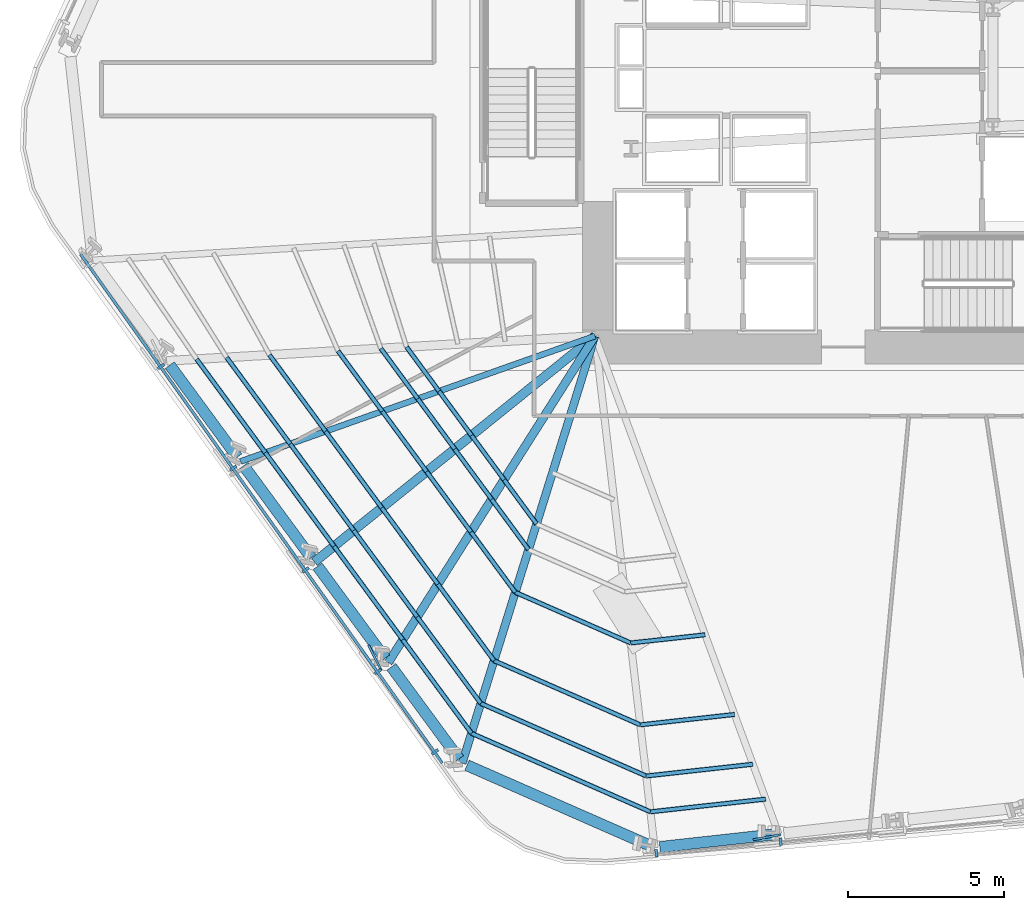
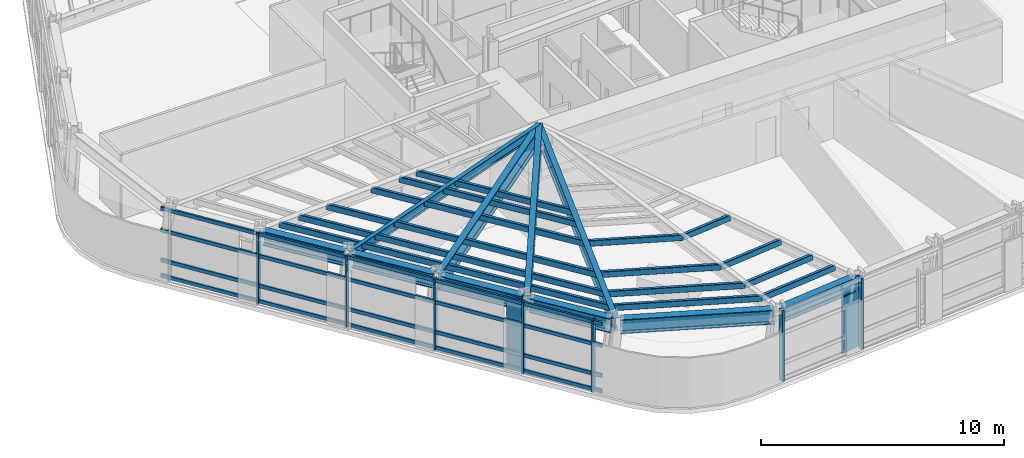
# One storey, part 2 of 16: 45 members, 10 beams, 2 elements without a shape of their own.
"""IFC4 building model written with IfcOpenShell, lengths in metres."""

from ifc_helpers import new_model, si_unit, direction, frame, origin, origin_2d, place, context, subcontext, project, spatial, rectangle, hollow_rectangle, i_section, extrude, material, layer, layer_set, material_profile, profile_set, type_object, element, aggregate, save


model = new_model("IFC4")

# Units and contexts
model_context = context("Model", 3, precision=1e-05, world=origin(), true_north=direction((0.0, 1.0)))
body_context = subcontext(model_context, "Body", "Model", "MODEL_VIEW")
ifc_project = project(units=[si_unit("LENGTHUNIT", "METRE"), si_unit("AREAUNIT", "SQUARE_METRE"), si_unit("VOLUMEUNIT", "CUBIC_METRE"), si_unit("PLANEANGLEUNIT", "RADIAN"), si_unit("MASSUNIT", "GRAM", prefix="KILO")], contexts=[model_context])

# Site, building, storey
site_placement = place(None, origin())
site = spatial("IfcSite", under=ifc_project, at=site_placement, CompositionType="ELEMENT")
building_placement = place(site_placement, origin())
building = spatial("IfcBuilding", under=site, at=building_placement, Name="Valkerne Bourse Tower", CompositionType="ELEMENT")
storey_placement = place(building_placement, frame((0.0, 0.0, 46.800048828125)))
storey = spatial("IfcBuildingStorey", under=building, at=storey_placement, Name="L11", CompositionType="ELEMENT", Elevation=46.800048828125)

# Beams
ifc_material_1 = material(Name="Steel ASTM A992", Category="steel")
ifc_material_profile_1 = material_profile(ifc_material_1, i_section(OverallWidth=0.1904296875, OverallDepth=0.457275390625, WebThickness=0.009033203125, FlangeThickness=0.014404296875, FilletRadius=0.01513671875, at=origin_2d()), Name="W18X50")
ifc_profile_set_1 = profile_set([ifc_material_profile_1], Name="Steel ASTM A992")
beam_type_1 = type_object("IfcBeamType", Name="BM-W18X50", PredefinedType="JOIST", material=ifc_profile_set_1)
beam_1_placement = place(storey_placement, frame((26.248779296875, 14.3828125, 3.351318359375), z_axis=(0.942710010647, 0.333613302832, 0.0), x_axis=(-0.333613302832, 0.942710010647, 0.0)))
element("IfcBeam", 1, at=beam_1_placement, inside=storey, type_object=beam_type_1, Name="L11 Radial Composite Floor Beam 20", PredefinedType="JOIST", context=body_context, shape_type="SweptSolid", body=[
    extrude(i_section(OverallWidth=0.1904296875, OverallDepth=0.457275390625, WebThickness=0.009033203125, FlangeThickness=0.014404296875, FilletRadius=0.01513671875, at=origin_2d()), origin(), (0.0, 0.0, 1.0), 12.041259765625),
])
ifc_material_profile_2 = material_profile(ifc_material_1, i_section(OverallWidth=0.255859375, OverallDepth=0.693359375, WebThickness=0.014404296875, FlangeThickness=0.023681640625, FilletRadius=0.02294921875, at=origin_2d()), Name="W27X114")
ifc_profile_set_2 = profile_set([ifc_material_profile_2], Name="Steel ASTM A992")
beam_type_2 = type_object("IfcBeamType", Name="BM-W27X114", PredefinedType="BEAM", material=ifc_profile_set_2)
beam_2_placement = place(storey_placement, frame((33.345947265625, 4.721435546875, 3.233154296875), z_axis=(0.296979186348, 0.95488395257, 0.0), x_axis=(-0.95488395257, 0.296979186348, 0.0)))
element("IfcBeam", 2, at=beam_2_placement, inside=storey, type_object=beam_type_2, Name="L11 Radial Composite Floor Beam 23", PredefinedType="BEAM", context=body_context, shape_type="SweptSolid", body=[
    extrude(i_section(OverallWidth=0.255859375, OverallDepth=0.693359375, WebThickness=0.014404296875, FlangeThickness=0.023681640625, FilletRadius=0.02294921875, at=origin_2d()), origin(), (0.0, 0.0, 1.0), 14.32470703125),
])
ifc_material_profile_3 = material_profile(ifc_material_1, i_section(OverallWidth=0.358154296875, OverallDepth=0.7060546875, WebThickness=0.018310546875, FlangeThickness=0.0302734375, FilletRadius=0.02294921875, at=origin_2d()), Name="W27X178")
ifc_profile_set_3 = profile_set([ifc_material_profile_3], Name="Steel ASTM A992")
beam_type_3 = type_object("IfcBeamType", Name="BM-W27X178", PredefinedType="SPANDREL", material=ifc_profile_set_3)
beam_3_placement = place(storey_placement, frame((23.98388671875, 17.46630859375, 3.226806640625), z_axis=(0.592020669649, -0.805922779619, 0.0), x_axis=(0.805922779619, 0.592020669649, 0.0)))
element("IfcBeam", 3, at=beam_3_placement, inside=storey, type_object=beam_type_3, Name="L11 Hexagonal Spandrel Ring Beam 19", PredefinedType="SPANDREL", context=body_context, shape_type="SweptSolid", body=[
    extrude(i_section(OverallWidth=0.358154296875, OverallDepth=0.7060546875, WebThickness=0.018310546875, FlangeThickness=0.0302734375, FilletRadius=0.02294921875, at=origin_2d()), origin(), (0.0, 0.0, 1.0), 3.65576171875),
])
beam_4_placement = place(storey_placement, frame((26.349609375, 14.245849609375, 3.226806640625), z_axis=(0.591988807771, -0.805946183981, 0.0), x_axis=(0.805946183981, 0.591988807771, 0.0)))
element("IfcBeam", 4, at=beam_4_placement, inside=storey, type_object=beam_type_3, Name="L11 Hexagonal Spandrel Ring Beam 20", PredefinedType="SPANDREL", context=body_context, shape_type="SweptSolid", body=[
    extrude(i_section(OverallWidth=0.358154296875, OverallDepth=0.7060546875, WebThickness=0.018310546875, FlangeThickness=0.0302734375, FilletRadius=0.02294921875, at=origin_2d()), origin(), (0.0, 0.0, 1.0), 3.656005859375),
])
for number, where, z_axis, x_axis, name in (
    (5, (28.715087890625, 11.025390625, 3.226806640625), (0.592032180934, -0.805914323448, 0.0), (0.805914323448, 0.592032180934, 0.0), "L11 Hexagonal Spandrel Ring Beam 21"),
    (6, (31.080810546875, 7.804931640625, 3.226806640625), (0.592032180934, -0.805914323448, 0.0), (0.805914323448, 0.592032180934, 0.0), "L11 Hexagonal Spandrel Ring Beam 22"),
):
    element("IfcBeam", number, at=place(storey_placement, frame(where, z_axis=z_axis, x_axis=x_axis)), inside=storey, type_object=beam_type_3, Name=name, PredefinedType="SPANDREL", context=body_context, shape_type="SweptSolid", body=[
        extrude(i_section(OverallWidth=0.358154296875, OverallDepth=0.7060546875, WebThickness=0.018310546875, FlangeThickness=0.0302734375, FilletRadius=0.02294921875, at=origin_2d()), origin(), (0.0, 0.0, 1.0), 3.65625),
    ])
beam_5_placement = place(storey_placement, frame((33.501708984375, 4.653076171875, 3.226806640625), z_axis=(0.915656722887, -0.401961149656, 0.0), x_axis=(0.401961149656, 0.915656722887, 0.0)))
element("IfcBeam", 7, at=beam_5_placement, inside=storey, type_object=beam_type_3, Name="L11 Hexagonal Spandrel Ring Beam 23", PredefinedType="SPANDREL", context=body_context, shape_type="SweptSolid", body=[
    extrude(i_section(OverallWidth=0.358154296875, OverallDepth=0.7060546875, WebThickness=0.018310546875, FlangeThickness=0.0302734375, FilletRadius=0.02294921875, at=origin_2d()), origin(), (0.0, 0.0, 1.0), 6.388916015625),
])
beam_6_placement = place(storey_placement, frame((39.676513671875, 2.035400390625, 3.226806640625), z_axis=(0.993962476945, 0.10972052873, 0.0), x_axis=(-0.10972052873, 0.993962476945, 0.0)))
element("IfcBeam", 8, at=beam_6_placement, inside=storey, type_object=beam_type_3, Name="L11 Hexagonal Spandrel Ring Beam 24", PredefinedType="SPANDREL", context=body_context, shape_type="SweptSolid", body=[
    extrude(i_section(OverallWidth=0.358154296875, OverallDepth=0.7060546875, WebThickness=0.018310546875, FlangeThickness=0.0302734375, FilletRadius=0.02294921875, at=origin_2d()), origin(), (0.0, 0.0, 1.0), 3.65576171875),
])
ifc_material_profile_4 = material_profile(ifc_material_1, i_section(OverallWidth=0.26806640625, OverallDepth=0.76953125, WebThickness=0.015625, FlangeThickness=0.025390625, FilletRadius=0.025390625, at=origin_2d()), Name="W30X132")
ifc_profile_set_4 = profile_set([ifc_material_profile_4], Name="Steel ASTM A992")
beam_type_4 = type_object("IfcBeamType", Name="BM-W30X132", PredefinedType="BEAM", material=ifc_profile_set_4)
beam_7_placement = place(storey_placement, frame((30.980224609375, 7.94189453125, 3.195068359375), z_axis=(0.53484840036, 0.844948039013, 0.0), x_axis=(-0.844948039013, 0.53484840036, 0.0)))
element("IfcBeam", 9, at=beam_7_placement, inside=storey, type_object=beam_type_4, Name="L11 Radial Composite Floor Beam 22", PredefinedType="BEAM", context=body_context, shape_type="SweptSolid", body=[
    extrude(i_section(OverallWidth=0.26806640625, OverallDepth=0.76953125, WebThickness=0.015625, FlangeThickness=0.025390625, FilletRadius=0.025390625, at=origin_2d()), origin(), (0.0, 0.0, 1.0), 12.377197265625),
])
ifc_material_profile_5 = material_profile(ifc_material_1, i_section(OverallWidth=0.2919921875, OverallDepth=0.8583984375, WebThickness=0.01708984375, FlangeThickness=0.031005859375, FilletRadius=0.025390625, at=origin_2d()), Name="W33X169")
ifc_profile_set_5 = profile_set([ifc_material_profile_5], Name="Steel ASTM A992")
beam_type_5 = type_object("IfcBeamType", Name="BM-W33X169", PredefinedType="BEAM", material=ifc_profile_set_5)
beam_8_placement = place(storey_placement, frame((28.614501953125, 11.162353515625, 3.150634765625), z_axis=(0.778789801401, 0.627284979283, 0.0), x_axis=(-0.627284979283, 0.778789801401, 0.0)))
element("IfcBeam", 10, at=beam_8_placement, inside=storey, type_object=beam_type_5, Name="L11 Radial Composite Floor Beam 21", PredefinedType="BEAM", context=body_context, shape_type="SweptSolid", body=[
    extrude(i_section(OverallWidth=0.2919921875, OverallDepth=0.8583984375, WebThickness=0.01708984375, FlangeThickness=0.031005859375, FilletRadius=0.025390625, at=origin_2d()), origin(), (0.0, 0.0, 1.0), 11.537841796875),
])

# Curtain wall, members
ifc_material_2 = material(Name="Aluminium AA 6063-T6", Category="aluminium")
ifc_layer = layer(ifc_material_2, 0.22509765625)
ifc_layer_set = layer_set([ifc_layer], Name="Aluminium AA 6063-T6")
curtain_wall_type = type_object("IfcCurtainWallType", Name="CW-01", PredefinedType="NOTDEFINED", material=ifc_layer_set)
curtain_wall_1_placement = place(storey_placement, origin())
curtain_wall_1 = element("IfcCurtainWall", 11, at=curtain_wall_1_placement, inside=storey, type_object=curtain_wall_type, Name="L11 Hexagonal Stick Curtain Wall Face 4", PredefinedType="NOTDEFINED")
ifc_material_profile_6 = material_profile(ifc_material_2, rectangle(XDim=0.090087890625, YDim=0.239990234375, at=origin_2d()), Name="CWM-90X240")
ifc_profile_set_6 = profile_set([ifc_material_profile_6], Name="Aluminium AA 6063-T6")
member_type_1 = type_object("IfcMemberType", Name="CW-MUL-240X90", PredefinedType="MULLION", material=ifc_profile_set_6)
member_1_placement = place(storey_placement, frame((23.70458984375, 17.42529296875, 0.0), z_axis=(0.0, 0.0, 1.0), x_axis=(0.579274085678, -0.815132831913, 0.0)))
member_1 = element("IfcMember", 12, at=member_1_placement, type_object=member_type_1, Name="CW-L11-F4 Jamb Mullion 01A", PredefinedType="MULLION", context=body_context, shape_type="SweptSolid", body=[
    extrude(rectangle(XDim=0.090087890625, YDim=0.239990234375, at=origin_2d()), origin(), (0.0, 0.0, 1.0), 3.579833984375),
])
member_2_placement = place(storey_placement, frame((26.01953125, 14.16796875, 0.0), z_axis=(0.0, 0.0, 1.0), x_axis=(0.579285902215, -0.815124434363, 0.0)))
member_2 = element("IfcMember", 13, at=member_2_placement, type_object=member_type_1, Name="CW-L11-F4 Jamb Mullion 02A", PredefinedType="MULLION", context=body_context, shape_type="SweptSolid", body=[
    extrude(rectangle(XDim=0.090087890625, YDim=0.239990234375, at=origin_2d()), origin(), (0.0, 0.0, 1.0), 3.579833984375),
])
member_3_placement = place(storey_placement, frame((28.334228515625, 10.91064453125, 0.0), z_axis=(0.0, 0.0, 1.0), x_axis=(0.579274085678, -0.815132831913, 0.0)))
member_3 = element("IfcMember", 14, at=member_3_placement, type_object=member_type_1, Name="CW-L11-F4 Jamb Mullion 03A", PredefinedType="MULLION", context=body_context, shape_type="SweptSolid", body=[
    extrude(rectangle(XDim=0.090087890625, YDim=0.239990234375, at=origin_2d()), origin(), (0.0, 0.0, 1.0), 3.579833984375),
])
member_4_placement = place(storey_placement, frame((30.649169921875, 7.6533203125, 0.0), z_axis=(0.0, 0.0, 1.0), x_axis=(0.579285902215, -0.815124434363, 0.0)))
member_4 = element("IfcMember", 15, at=member_4_placement, type_object=member_type_1, Name="CW-L11-F4 Jamb Mullion 04A", PredefinedType="MULLION", context=body_context, shape_type="SweptSolid", body=[
    extrude(rectangle(XDim=0.090087890625, YDim=0.239990234375, at=origin_2d()), origin(), (0.0, 0.0, 1.0), 3.579833984375),
])
member_5_placement = place(storey_placement, frame((32.477294921875, 5.080810546875, 0.0), z_axis=(0.0, 0.0, 1.0), x_axis=(0.579285902215, -0.815124434363, 0.0)))
member_5 = element("IfcMember", 16, at=member_5_placement, type_object=member_type_1, Name="CW-L11-F4 Jamb Mullion 04B", PredefinedType="MULLION", context=body_context, shape_type="SweptSolid", body=[
    extrude(rectangle(XDim=0.090087890625, YDim=0.239990234375, at=origin_2d()), origin(), (0.0, 0.0, 1.0), 3.579833984375),
])

curtain_wall_2_placement = place(storey_placement, origin())
curtain_wall_2 = element("IfcCurtainWall", 17, at=curtain_wall_2_placement, inside=storey, type_object=curtain_wall_type, Name="L11 Hexagonal Stick Curtain Wall Face 5", PredefinedType="NOTDEFINED")
member_6_placement = place(storey_placement, frame((39.566162109375, 1.835205078125, 0.0), z_axis=(0.0, 0.0, 1.0), x_axis=(0.995560806693, 0.094120561919, 0.0)))
member_6 = element("IfcMember", 18, at=member_6_placement, type_object=member_type_1, Name="CW-L11-F5 Jamb Mullion 00A", PredefinedType="MULLION", context=body_context, shape_type="SweptSolid", body=[
    extrude(rectangle(XDim=0.090087890625, YDim=0.239990234375, at=origin_2d()), origin(), (0.0, 0.0, 1.0), 3.579833984375),
])
member_7_placement = place(storey_placement, frame((43.544189453125, 2.21142578125, 0.0), z_axis=(0.0, 0.0, 1.0), x_axis=(0.995563372907, 0.094093413826, 0.0)))
member_7 = element("IfcMember", 19, at=member_7_placement, type_object=member_type_1, Name="CW-L11-F5 Jamb Mullion 01A", PredefinedType="MULLION", context=body_context, shape_type="SweptSolid", body=[
    extrude(rectangle(XDim=0.090087890625, YDim=0.239990234375, at=origin_2d()), origin(), (0.0, 0.0, 1.0), 3.579833984375),
])
aggregate(curtain_wall_2, [member_6, member_7])

# Member
ifc_material_profile_7 = material_profile(ifc_material_2, rectangle(XDim=0.090087890625, YDim=0.179931640625, at=origin_2d()), Name="CWT-90X180")
ifc_profile_set_7 = profile_set([ifc_material_profile_7], Name="Aluminium AA 6063-T6")
member_type_2 = type_object("IfcMemberType", Name="CW-TRN-180X90", PredefinedType="USERDEFINED", material=ifc_profile_set_7)
member_8_placement = place(storey_placement, frame((21.13037109375, 21.01318359375, 0.119873046875), z_axis=(0.579281919042, -0.815127265076, 0.0), x_axis=(0.815127265076, 0.579281919042, 0.0)))
member_8 = element("IfcMember", 20, at=member_8_placement, type_object=member_type_2, Name="CW-L11-F4 Continuous Face Transom 1", ObjectType="TRANSOM", PredefinedType="USERDEFINED", context=body_context, shape_type="SweptSolid", body=[
    extrude(rectangle(XDim=0.090087890625, YDim=0.179931640625, at=origin_2d()), origin(), (0.0, 0.0, 1.0), 19.97998046875),
])

member_9_placement = place(storey_placement, frame((21.13037109375, 21.01318359375, 0.89990234375), z_axis=(0.579281919042, -0.815127265076, 0.0), x_axis=(0.815127265076, 0.579281919042, 0.0)))
member_9 = element("IfcMember", 21, at=member_9_placement, type_object=member_type_2, Name="CW-L11-F4 Continuous Face Transom 2", ObjectType="TRANSOM", PredefinedType="USERDEFINED", context=body_context, shape_type="SweptSolid", body=[
    extrude(rectangle(XDim=0.090087890625, YDim=0.179931640625, at=origin_2d()), origin(), (0.0, 0.0, 1.0), 19.97998046875),
])

member_10_placement = place(storey_placement, frame((21.13037109375, 21.01318359375, 2.39990234375), z_axis=(0.579281919042, -0.815127265076, 0.0), x_axis=(0.815127265076, 0.579281919042, 0.0)))
member_10 = element("IfcMember", 22, at=member_10_placement, type_object=member_type_2, Name="CW-L11-F4 Continuous Face Transom 3", ObjectType="TRANSOM", PredefinedType="USERDEFINED", context=body_context, shape_type="SweptSolid", body=[
    extrude(rectangle(XDim=0.090087890625, YDim=0.179931640625, at=origin_2d()), origin(), (0.0, 0.0, 1.0), 19.97998046875),
])

member_11_placement = place(storey_placement, frame((21.13037109375, 21.01318359375, 3.5), z_axis=(0.579281919042, -0.815127265076, 0.0), x_axis=(0.815127265076, 0.579281919042, 0.0)))
member_11 = element("IfcMember", 23, at=member_11_placement, type_object=member_type_2, Name="CW-L11-F4 Continuous Face Transom 4", ObjectType="TRANSOM", PredefinedType="USERDEFINED", context=body_context, shape_type="SweptSolid", body=[
    extrude(rectangle(XDim=0.090087890625, YDim=0.179931640625, at=origin_2d()), origin(), (0.0, 0.0, 1.0), 19.97998046875),
])

aggregate(curtain_wall_1, [member_8, member_9, member_10, member_11, member_1, member_2, member_3, member_4, member_5])

# Members
ifc_material_3 = material(Name="Bronze Anodised Aluminium AA 6063-T6", Category="aluminium")
ifc_material_profile_8 = material_profile(ifc_material_3, rectangle(XDim=0.070068359375, YDim=0.89990234375, at=origin_2d()), Name="FIN-70X900")
ifc_profile_set_8 = profile_set([ifc_material_profile_8], Name="Bronze Anodised Aluminium AA 6063-T6")
member_type_3 = type_object("IfcMemberType", Name="FIN-SOLAR-900", PredefinedType="USERDEFINED", material=ifc_profile_set_8)
for number, where, z_axis, x_axis, name in (
    (24, (30.552490234375, 8.10009765625, 0.00390625), (0.0, 0.0, 1.0), (-0.892885487362, -0.450283806569, 0.0), "L11 Bronze Anodised Solar Fin F4-04"),
    (25, (43.109375, 2.35107421875, 0.00390625), (0.0, 0.0, 1.0), (0.184307778666, -0.982868578561, 0.0), "L11 Bronze Anodised Solar Fin F5-01"),
):
    element("IfcMember", number, at=place(storey_placement, frame(where, z_axis=z_axis, x_axis=x_axis)), inside=storey, type_object=member_type_3, Name=name, ObjectType="SOLAR_FIN", PredefinedType="USERDEFINED", context=body_context, shape_type="SweptSolid", body=[
        extrude(rectangle(XDim=0.070068359375, YDim=0.89990234375, at=origin_2d()), origin(), (0.0, 0.0, 1.0), 3.572021484375),
    ])
ifc_material_4 = material(Name="Steel ASTM A500 Grade C", Category="steel")
ifc_material_profile_9 = material_profile(ifc_material_4, hollow_rectangle(XDim=0.14990234375, YDim=0.300048828125, WallThickness=0.012451171875, OuterFilletRadius=0.02490234375, at=origin_2d()), Name="HSS300X150X12.5")
ifc_profile_set_9 = profile_set([ifc_material_profile_9], Name="Steel ASTM A500 Grade C")
member_type_4 = type_object("IfcMemberType", Name="MBR-HSS300X150X12.5", PredefinedType="PURLIN", material=ifc_profile_set_9)
member_12_placement = place(storey_placement, frame((31.564697265625, 18.049560546875, 3.419921875), z_axis=(0.59197152134, -0.805958881037, 0.0), x_axis=(0.805958881037, 0.59197152134, 0.0)))
element("IfcMember", 26, at=member_12_placement, inside=storey, type_object=member_type_4, Name="L11 Secondary Composite Floor Purlin K-19", PredefinedType="PURLIN", context=body_context, shape_type="SweptSolid", body=[
    extrude(hollow_rectangle(XDim=0.14990234375, YDim=0.300048828125, WallThickness=0.012451171875, OuterFilletRadius=0.02490234375, at=origin_2d()), origin(), (0.0, 0.0, 1.0), 1.758056640625),
])
for number, where, z_axis, x_axis, name in (
    (27, (32.60546875, 16.632568359375, 3.419921875), (0.592061711198, -0.805892629407, 0.0), (0.805892629407, 0.592061711198, 0.0), "L11 Secondary Composite Floor Purlin K-20"),
    (28, (33.646484375, 15.215576171875, 3.419921875), (0.591905274726, -0.80600753455, 0.0), (0.80600753455, 0.591905274726, 0.0), "L11 Secondary Composite Floor Purlin K-21"),
    (29, (34.687255859375, 13.79833984375, 3.419921875), (0.592061711198, -0.805892629407, 0.0), (0.805892629407, 0.592061711198, 0.0), "L11 Secondary Composite Floor Purlin K-22"),
):
    element("IfcMember", number, at=place(storey_placement, frame(where, z_axis=z_axis, x_axis=x_axis)), inside=storey, type_object=member_type_4, Name=name, PredefinedType="PURLIN", context=body_context, shape_type="SweptSolid", body=[
        extrude(hollow_rectangle(XDim=0.14990234375, YDim=0.300048828125, WallThickness=0.012451171875, OuterFilletRadius=0.02490234375, at=origin_2d()), origin(), (0.0, 0.0, 1.0), 1.75830078125),
    ])
member_13_placement = place(storey_placement, frame((30.74169921875, 18.001708984375, 3.419921875), z_axis=(0.591993838428, -0.805942488807, 0.0), x_axis=(0.805942488807, 0.591993838428, 0.0)))
element("IfcMember", 30, at=member_13_placement, inside=storey, type_object=member_type_4, Name="L11 Secondary Composite Floor Purlin M-19", PredefinedType="PURLIN", context=body_context, shape_type="SweptSolid", body=[
    extrude(hollow_rectangle(XDim=0.14990234375, YDim=0.300048828125, WallThickness=0.012451171875, OuterFilletRadius=0.02490234375, at=origin_2d()), origin(), (0.0, 0.0, 1.0), 1.998046875),
])
member_14_placement = place(storey_placement, frame((31.924560546875, 16.391357421875, 3.419921875), z_axis=(0.59205213941, -0.805899661385, 0.0), x_axis=(0.805899661385, 0.59205213941, 0.0)))
element("IfcMember", 31, at=member_14_placement, inside=storey, type_object=member_type_4, Name="L11 Secondary Composite Floor Purlin M-20", PredefinedType="PURLIN", context=body_context, shape_type="SweptSolid", body=[
    extrude(hollow_rectangle(XDim=0.14990234375, YDim=0.300048828125, WallThickness=0.012451171875, OuterFilletRadius=0.02490234375, at=origin_2d()), origin(), (0.0, 0.0, 1.0), 1.997802734375),
])
member_15_placement = place(storey_placement, frame((33.107421875, 14.78125, 3.419921875), z_axis=(0.591914464361, -0.806000785905, 0.0), x_axis=(0.806000785905, 0.591914464361, 0.0)))
element("IfcMember", 32, at=member_15_placement, inside=storey, type_object=member_type_4, Name="L11 Secondary Composite Floor Purlin M-21", PredefinedType="PURLIN", context=body_context, shape_type="SweptSolid", body=[
    extrude(hollow_rectangle(XDim=0.14990234375, YDim=0.300048828125, WallThickness=0.012451171875, OuterFilletRadius=0.02490234375, at=origin_2d()), origin(), (0.0, 0.0, 1.0), 1.998046875),
])
member_16_placement = place(storey_placement, frame((34.2900390625, 13.1708984375, 3.419921875), z_axis=(0.59205213941, -0.805899661385, 0.0), x_axis=(0.805899661385, 0.59205213941, 0.0)))
element("IfcMember", 33, at=member_16_placement, inside=storey, type_object=member_type_4, Name="L11 Secondary Composite Floor Purlin M-22", PredefinedType="PURLIN", context=body_context, shape_type="SweptSolid", body=[
    extrude(hollow_rectangle(XDim=0.14990234375, YDim=0.300048828125, WallThickness=0.012451171875, OuterFilletRadius=0.02490234375, at=origin_2d()), origin(), (0.0, 0.0, 1.0), 1.997802734375),
])
member_17_placement = place(storey_placement, frame((27.17529296875, 17.794677734375, 3.419921875), z_axis=(0.591969883936, -0.805960083697, 0.0), x_axis=(0.805960083697, 0.591969883936, 0.0)))
element("IfcMember", 34, at=member_17_placement, inside=storey, type_object=member_type_4, Name="L11 Secondary Composite Floor Purlin O-19", PredefinedType="PURLIN", context=body_context, shape_type="SweptSolid", body=[
    extrude(hollow_rectangle(XDim=0.14990234375, YDim=0.300048828125, WallThickness=0.012451171875, OuterFilletRadius=0.02490234375, at=origin_2d()), origin(), (0.0, 0.0, 1.0), 3.037109375),
])
member_18_placement = place(storey_placement, frame((28.97314453125, 15.346923828125, 3.419921875), z_axis=(0.592008238719, -0.805931911075, 0.0), x_axis=(0.805931911075, 0.592008238719, 0.0)))
element("IfcMember", 35, at=member_18_placement, inside=storey, type_object=member_type_4, Name="L11 Secondary Composite Floor Purlin O-20", PredefinedType="PURLIN", context=body_context, shape_type="SweptSolid", body=[
    extrude(hollow_rectangle(XDim=0.14990234375, YDim=0.300048828125, WallThickness=0.012451171875, OuterFilletRadius=0.02490234375, at=origin_2d()), origin(), (0.0, 0.0, 1.0), 3.036865234375),
])
member_19_placement = place(storey_placement, frame((30.77099609375, 12.8994140625, 3.419921875), z_axis=(0.592060451842, -0.805893554612, 0.0), x_axis=(0.805893554612, 0.592060451842, 0.0)))
element("IfcMember", 36, at=member_19_placement, inside=storey, type_object=member_type_4, Name="L11 Secondary Composite Floor Purlin O-21", PredefinedType="PURLIN", context=body_context, shape_type="SweptSolid", body=[
    extrude(hollow_rectangle(XDim=0.14990234375, YDim=0.300048828125, WallThickness=0.012451171875, OuterFilletRadius=0.02490234375, at=origin_2d()), origin(), (0.0, 0.0, 1.0), 3.037109375),
])
member_20_placement = place(storey_placement, frame((32.569091796875, 10.451904296875, 3.419921875), z_axis=(0.592008238719, -0.805931911075, 0.0), x_axis=(0.805931911075, 0.592008238719, 0.0)))
element("IfcMember", 37, at=member_20_placement, inside=storey, type_object=member_type_4, Name="L11 Secondary Composite Floor Purlin O-22", PredefinedType="PURLIN", context=body_context, shape_type="SweptSolid", body=[
    extrude(hollow_rectangle(XDim=0.14990234375, YDim=0.300048828125, WallThickness=0.012451171875, OuterFilletRadius=0.02490234375, at=origin_2d()), origin(), (0.0, 0.0, 1.0), 3.036865234375),
])
member_21_placement = place(storey_placement, frame((34.366943359375, 8.00439453125, 3.419921875), z_axis=(0.915660315081, -0.401952966633, 0.0), x_axis=(0.401952966633, 0.915660315081, 0.0)))
element("IfcMember", 38, at=member_21_placement, inside=storey, type_object=member_type_4, Name="L11 Secondary Composite Floor Purlin O-23", PredefinedType="PURLIN", context=body_context, shape_type="SweptSolid", body=[
    extrude(hollow_rectangle(XDim=0.14990234375, YDim=0.300048828125, WallThickness=0.012451171875, OuterFilletRadius=0.02490234375, at=origin_2d()), origin(), (0.0, 0.0, 1.0), 5.1142578125),
])
member_22_placement = place(storey_placement, frame((39.0498046875, 5.94873046875, 3.419921875), z_axis=(0.993960940618, 0.109734445482, 0.0), x_axis=(-0.109734445482, 0.993960940618, 0.0)))
element("IfcMember", 39, at=member_22_placement, inside=storey, type_object=member_type_4, Name="L11 Secondary Composite Floor Purlin O-24", PredefinedType="PURLIN", context=body_context, shape_type="SweptSolid", body=[
    extrude(hollow_rectangle(XDim=0.14990234375, YDim=0.300048828125, WallThickness=0.012451171875, OuterFilletRadius=0.02490234375, at=origin_2d()), origin(), (0.0, 0.0, 1.0), 3.036865234375),
])
for number, where, z_axis, x_axis, name in (
    (40, (29.369873046875, 17.922119140625, 3.419921875), (0.592003554676, -0.805935351782, 0.0), (0.805935351782, 0.592003554676, 0.0), "L11 Secondary Composite Floor Purlin Z-19"),
    (41, (30.789306640625, 15.98974609375, 3.419921875), (0.592003554676, -0.805935351782, 0.0), (0.805935351782, 0.592003554676, 0.0), "L11 Secondary Composite Floor Purlin Z-20"),
    (42, (32.208740234375, 14.057373046875, 3.419921875), (0.592003554676, -0.805935351782, 0.0), (0.805935351782, 0.592003554676, 0.0), "L11 Secondary Composite Floor Purlin Z-21"),
):
    element("IfcMember", number, at=place(storey_placement, frame(where, z_axis=z_axis, x_axis=x_axis)), inside=storey, type_object=member_type_4, Name=name, PredefinedType="PURLIN", context=body_context, shape_type="SweptSolid", body=[
        extrude(hollow_rectangle(XDim=0.14990234375, YDim=0.300048828125, WallThickness=0.012451171875, OuterFilletRadius=0.02490234375, at=origin_2d()), origin(), (0.0, 0.0, 1.0), 2.397705078125),
    ])
member_23_placement = place(storey_placement, frame((33.628173828125, 12.125, 3.419921875), z_axis=(0.59205213941, -0.805899661385, 0.0), x_axis=(0.805899661385, 0.59205213941, 0.0)))
element("IfcMember", 43, at=member_23_placement, inside=storey, type_object=member_type_4, Name="L11 Secondary Composite Floor Purlin Z-22", PredefinedType="PURLIN", context=body_context, shape_type="SweptSolid", body=[
    extrude(hollow_rectangle(XDim=0.14990234375, YDim=0.300048828125, WallThickness=0.012451171875, OuterFilletRadius=0.02490234375, at=origin_2d()), origin(), (0.0, 0.0, 1.0), 2.3974609375),
])
member_24_placement = place(storey_placement, frame((35.047607421875, 10.19287109375, 3.419921875), z_axis=(0.915659773197, -0.401954201059, 0.0), x_axis=(0.401954201059, 0.915659773197, 0.0)))
element("IfcMember", 44, at=member_24_placement, inside=storey, type_object=member_type_4, Name="L11 Secondary Composite Floor Purlin Z-23", PredefinedType="PURLIN", context=body_context, shape_type="SweptSolid", body=[
    extrude(hollow_rectangle(XDim=0.14990234375, YDim=0.300048828125, WallThickness=0.012451171875, OuterFilletRadius=0.02490234375, at=origin_2d()), origin(), (0.0, 0.0, 1.0), 4.037353515625),
])
member_25_placement = place(storey_placement, frame((38.744384765625, 8.570068359375, 3.419921875), z_axis=(0.993969113546, 0.109660390831, 0.0), x_axis=(-0.109660390831, 0.993969113546, 0.0)))
element("IfcMember", 45, at=member_25_placement, inside=storey, type_object=member_type_4, Name="L11 Secondary Composite Floor Purlin Z-24", PredefinedType="PURLIN", context=body_context, shape_type="SweptSolid", body=[
    extrude(hollow_rectangle(XDim=0.14990234375, YDim=0.300048828125, WallThickness=0.012451171875, OuterFilletRadius=0.02490234375, at=origin_2d()), origin(), (0.0, 0.0, 1.0), 2.397705078125),
])
for number, where, z_axis, x_axis, name in (
    (46, (25.8037109375, 17.71484375, 3.419921875), (0.592013343451, -0.8059281613, 0.0), (0.8059281613, 0.592013343451, 0.0), "L11 Secondary Composite Floor Purlin T-19"),
    (47, (27.838134765625, 14.9453125, 3.419921875), (0.592013343451, -0.8059281613, 0.0), (0.8059281613, 0.592013343451, 0.0), "L11 Secondary Composite Floor Purlin T-20"),
):
    element("IfcMember", number, at=place(storey_placement, frame(where, z_axis=z_axis, x_axis=x_axis)), inside=storey, type_object=member_type_4, Name=name, PredefinedType="PURLIN", context=body_context, shape_type="SweptSolid", body=[
        extrude(hollow_rectangle(XDim=0.14990234375, YDim=0.300048828125, WallThickness=0.012451171875, OuterFilletRadius=0.02490234375, at=origin_2d()), origin(), (0.0, 0.0, 1.0), 3.4365234375),
    ])
member_26_placement = place(storey_placement, frame((29.87255859375, 12.17578125, 3.419921875), z_axis=(0.591979448128, -0.805953058803, 0.0), x_axis=(0.805953058803, 0.591979448128, 0.0)))
element("IfcMember", 48, at=member_26_placement, inside=storey, type_object=member_type_4, Name="L11 Secondary Composite Floor Purlin T-21", PredefinedType="PURLIN", context=body_context, shape_type="SweptSolid", body=[
    extrude(hollow_rectangle(XDim=0.14990234375, YDim=0.300048828125, WallThickness=0.012451171875, OuterFilletRadius=0.02490234375, at=origin_2d()), origin(), (0.0, 0.0, 1.0), 3.436767578125),
])
member_27_placement = place(storey_placement, frame((31.906982421875, 9.406005859375, 3.419921875), z_axis=(0.592059485341, -0.805894264664, 0.0), x_axis=(0.805894264664, 0.592059485341, 0.0)))
element("IfcMember", 49, at=member_27_placement, inside=storey, type_object=member_type_4, Name="L11 Secondary Composite Floor Purlin T-22", PredefinedType="PURLIN", context=body_context, shape_type="SweptSolid", body=[
    extrude(hollow_rectangle(XDim=0.14990234375, YDim=0.300048828125, WallThickness=0.012451171875, OuterFilletRadius=0.02490234375, at=origin_2d()), origin(), (0.0, 0.0, 1.0), 3.4365234375),
])
member_28_placement = place(storey_placement, frame((33.941650390625, 6.636474609375, 3.419921875), z_axis=(0.915653119888, -0.40196935709, 0.0), x_axis=(0.40196935709, 0.915653119888, 0.0)))
element("IfcMember", 50, at=member_28_placement, inside=storey, type_object=member_type_4, Name="L11 Secondary Composite Floor Purlin T-23", PredefinedType="PURLIN", context=body_context, shape_type="SweptSolid", body=[
    extrude(hollow_rectangle(XDim=0.14990234375, YDim=0.300048828125, WallThickness=0.012451171875, OuterFilletRadius=0.02490234375, at=origin_2d()), origin(), (0.0, 0.0, 1.0), 5.786865234375),
])
member_29_placement = place(storey_placement, frame((39.240478515625, 4.310302734375, 3.419921875), z_axis=(0.993958016623, 0.109760927431, 0.0), x_axis=(-0.109760927431, 0.993958016623, 0.0)))
element("IfcMember", 51, at=member_29_placement, inside=storey, type_object=member_type_4, Name="L11 Secondary Composite Floor Purlin T-24", PredefinedType="PURLIN", context=body_context, shape_type="SweptSolid", body=[
    extrude(hollow_rectangle(XDim=0.14990234375, YDim=0.300048828125, WallThickness=0.012451171875, OuterFilletRadius=0.02490234375, at=origin_2d()), origin(), (0.0, 0.0, 1.0), 3.4365234375),
])
for number, where, z_axis, x_axis, name in (
    (52, (24.843505859375, 17.6591796875, 3.419921875), (0.59198152066, -0.805951536506, 0.0), (0.805951536506, 0.59198152066, 0.0), "L11 Secondary Composite Floor Purlin U-19"),
    (53, (27.04345703125, 14.6640625, 3.419921875), (0.592024191155, -0.805920192753, 0.0), (0.805920192753, 0.592024191155, 0.0), "L11 Secondary Composite Floor Purlin U-20"),
):
    element("IfcMember", number, at=place(storey_placement, frame(where, z_axis=z_axis, x_axis=x_axis)), inside=storey, type_object=member_type_4, Name=name, PredefinedType="PURLIN", context=body_context, shape_type="SweptSolid", body=[
        extrude(hollow_rectangle(XDim=0.14990234375, YDim=0.300048828125, WallThickness=0.012451171875, OuterFilletRadius=0.02490234375, at=origin_2d()), origin(), (0.0, 0.0, 1.0), 3.71630859375),
    ])
member_30_placement = place(storey_placement, frame((29.24365234375, 11.6689453125, 3.419921875), z_axis=(0.592012865715, -0.805928512232, 0.0), x_axis=(0.805928512232, 0.592012865715, 0.0)))
element("IfcMember", 54, at=member_30_placement, inside=storey, type_object=member_type_4, Name="L11 Secondary Composite Floor Purlin U-21", PredefinedType="PURLIN", context=body_context, shape_type="SweptSolid", body=[
    extrude(hollow_rectangle(XDim=0.14990234375, YDim=0.300048828125, WallThickness=0.012451171875, OuterFilletRadius=0.02490234375, at=origin_2d()), origin(), (0.0, 0.0, 1.0), 3.716064453125),
])
member_31_placement = place(storey_placement, frame((31.443603515625, 8.674072265625, 3.419921875), z_axis=(0.592024191155, -0.805920192753, 0.0), x_axis=(0.805920192753, 0.592024191155, 0.0)))
element("IfcMember", 55, at=member_31_placement, inside=storey, type_object=member_type_4, Name="L11 Secondary Composite Floor Purlin U-22", PredefinedType="PURLIN", context=body_context, shape_type="SweptSolid", body=[
    extrude(hollow_rectangle(XDim=0.14990234375, YDim=0.300048828125, WallThickness=0.012451171875, OuterFilletRadius=0.02490234375, at=origin_2d()), origin(), (0.0, 0.0, 1.0), 3.71630859375),
])
member_32_placement = place(storey_placement, frame((33.643798828125, 5.678955078125, 3.419921875), z_axis=(0.915663292189, -0.401946184629, 0.0), x_axis=(0.401946184629, 0.915663292189, 0.0)))
element("IfcMember", 56, at=member_32_placement, inside=storey, type_object=member_type_4, Name="L11 Secondary Composite Floor Purlin U-23", PredefinedType="PURLIN", context=body_context, shape_type="SweptSolid", body=[
    extrude(hollow_rectangle(XDim=0.14990234375, YDim=0.300048828125, WallThickness=0.012451171875, OuterFilletRadius=0.02490234375, at=origin_2d()), origin(), (0.0, 0.0, 1.0), 6.258056640625),
])
member_33_placement = place(storey_placement, frame((39.3740234375, 3.16357421875, 3.419921875), z_axis=(0.993963588835, 0.109710455608, 0.0), x_axis=(-0.109710455608, 0.993963588835, 0.0)))
element("IfcMember", 57, at=member_33_placement, inside=storey, type_object=member_type_4, Name="L11 Secondary Composite Floor Purlin U-24", PredefinedType="PURLIN", context=body_context, shape_type="SweptSolid", body=[
    extrude(hollow_rectangle(XDim=0.14990234375, YDim=0.300048828125, WallThickness=0.012451171875, OuterFilletRadius=0.02490234375, at=origin_2d()), origin(), (0.0, 0.0, 1.0), 3.71630859375),
])

save(model, "model.ifc")
